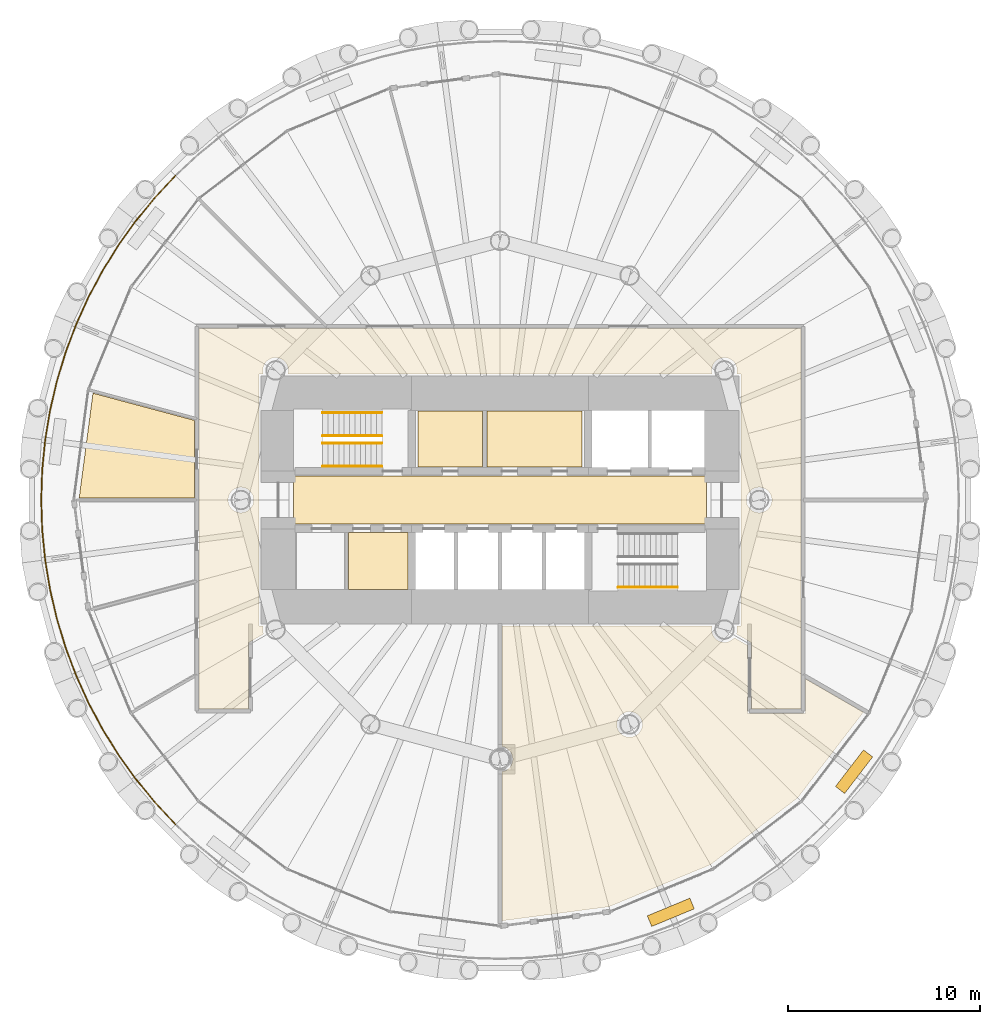
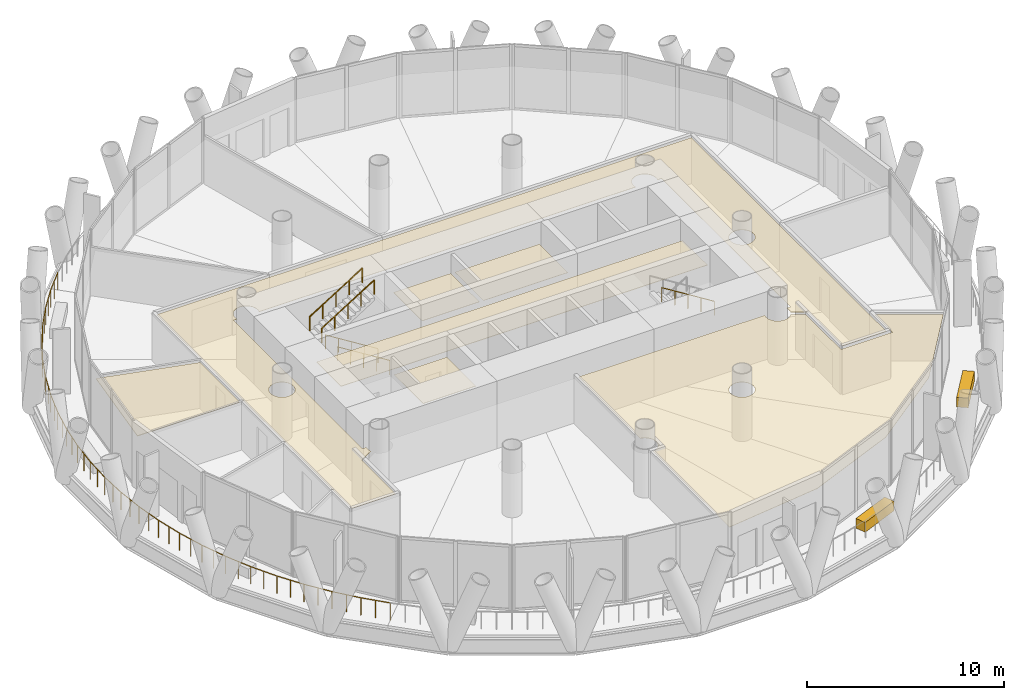
# One storey, part 12 of 14: 9 coverings, 6 railings.
"""IFC4 building model written with IfcOpenShell, lengths in metres."""

from ifc_helpers import new_model, si_unit, direction, frame, origin, origin_2d, place, context, subcontext, project, spatial, polyline, rectangle, circle, outline, extrude, material, layer, layer_set, type_object, element, save


model = new_model("IFC4")

# Units and contexts
model_context = context("Model", 3, precision=1e-05, world=origin(), true_north=direction((0.0, 1.0)))
body_context = subcontext(model_context, "Body", "Model", "MODEL_VIEW")
ifc_project = project(units=[si_unit("LENGTHUNIT", "METRE"), si_unit("AREAUNIT", "SQUARE_METRE"), si_unit("VOLUMEUNIT", "CUBIC_METRE"), si_unit("PLANEANGLEUNIT", "RADIAN"), si_unit("MASSUNIT", "GRAM", prefix="KILO")], contexts=[model_context])

# Site, building, storey
site_placement = place(None, origin())
site = spatial("IfcSite", under=ifc_project, at=site_placement, CompositionType="ELEMENT")
building_placement = place(site_placement, origin())
building = spatial("IfcBuilding", under=site, at=building_placement, Name="Qaws Media Tower", CompositionType="ELEMENT")
storey_placement = place(building_placement, frame((0.0, 0.0, 168.800048828125)))
storey = spatial("IfcBuildingStorey", under=building, at=storey_placement, Name="L38", CompositionType="ELEMENT", Elevation=168.800048828125)

# Covering
ifc_material_1 = material(Name="40 perforated acoustic panels with mineral wool backing, suspended", Category="mineral fibre")
ifc_layer_1 = layer(ifc_material_1, 0.0400390625)
ifc_layer_set_1 = layer_set([ifc_layer_1], Name="Acoustic panel ceiling 40")
covering_type_1 = type_object("IfcCoveringType", Name="Acoustic panel ceiling 40", PredefinedType="CEILING", material=ifc_layer_set_1)
covering_1_placement = place(storey_placement, frame((0.0, 0.0, 2.849853515625)))
element("IfcCovering", 1, at=covering_1_placement, inside=storey, type_object=covering_type_1, Name="CL3 ceiling L38-05 Interview room", PredefinedType="CEILING", context=body_context, shape_type="SweptSolid", body=[
    extrude(outline(polyline([(38.79736328125, 55.564697265625), (44.08740234375, 54.147216796875), (44.08740234375, 50.112548828125), (38.07958984375, 50.112548828125), (38.79736328125, 55.564697265625)])), origin(), (0.0, 0.0, 1.0), 0.0400390625),
])

# Railing
ifc_material_2 = material(Name="Stainless steel and glass guard", Category="steel")
railing_type_1 = type_object("IfcRailingType", Name="Balcony guard 1100", PredefinedType="GUARDRAIL", material=ifc_material_2)
railing_1_placement = place(storey_placement, frame((43.10009765625, 66.89990234375, 0.0)))
element("IfcRailing", 2, at=railing_1_placement, inside=storey, type_object=railing_type_1, Name="GR1 balcony guard L38-2", PredefinedType="GUARDRAIL", context=body_context, shape_type="SweptSolid", body=[
    extrude(circle(Radius=0.02392578125, at=origin_2d()), frame((0.0, 0.0, 1.076171875), z_axis=(-0.683546406582, -0.729907055761, 0.0), x_axis=(0.729907055761, -0.683546406582, 0.0)), (0.0, 0.0, 1.0), 1.56396484375),
    extrude(circle(Radius=0.02392578125, at=origin_2d()), frame((-1.069091796875, -1.1416015625, 1.076171875), z_axis=(-0.63439315617, -0.773010558404, 0.0), x_axis=(0.773010558404, -0.63439315617, 0.0)), (0.0, 0.0, 1.0), 1.56396484375),
    extrude(circle(Radius=0.02392578125, at=origin_2d()), frame((-2.061279296875, -2.3505859375, 1.076171875), z_axis=(-0.582448461728, -0.812867633401, 0.0), x_axis=(0.812867633401, -0.582448461728, 0.0)), (0.0, 0.0, 1.0), 1.56396484375),
    extrude(circle(Radius=0.02392578125, at=origin_2d()), frame((-2.97216796875, -3.621826171875, 1.076171875), z_axis=(-0.528089308506, -0.849188837799, 0.0), x_axis=(0.849188837799, -0.528089308506, 0.0)), (0.0, 0.0, 1.0), 1.56396484375),
    extrude(circle(Radius=0.02392578125, at=origin_2d()), frame((-3.798095703125, -4.949951171875, 1.076171875), z_axis=(-0.471463104369, -0.881885786947, 0.0), x_axis=(0.881885786947, -0.471463104369, 0.0)), (0.0, 0.0, 1.0), 1.56396484375),
    extrude(circle(Radius=0.02392578125, at=origin_2d()), frame((-4.535400390625, -6.3291015625, 1.076171875), z_axis=(-0.412732400705, -0.91085232909, 0.0), x_axis=(0.91085232909, -0.412732400705, 0.0)), (0.0, 0.0, 1.0), 1.56396484375),
    extrude(circle(Radius=0.02392578125, at=origin_2d()), frame((-5.180908203125, -7.753662109375, 1.076171875), z_axis=(-0.352149606638, -0.935943724026, 0.0), x_axis=(0.935943724026, -0.352149606638, 0.0)), (0.0, 0.0, 1.0), 1.56396484375),
    extrude(circle(Radius=0.02392578125, at=origin_2d()), frame((-5.731689453125, -9.217529296875, 1.076171875), z_axis=(-0.290353982933, -0.956919309344, 0.0), x_axis=(0.956919309344, -0.290353982933, 0.0)), (0.0, 0.0, 1.0), 1.56396484375),
    extrude(circle(Radius=0.02392578125, at=origin_2d()), frame((-6.185791015625, -10.714111328125, 1.076171875), z_axis=(-0.226968071535, -0.973902199661, 0.0), x_axis=(0.973902199661, -0.226968071535, 0.0)), (0.0, 0.0, 1.0), 1.56396484375),
    extrude(circle(Radius=0.02392578125, at=origin_2d()), frame((-6.540771484375, -12.2373046875, 1.076171875), z_axis=(-0.162981149854, -0.986629183023, 0.0), x_axis=(0.986629183023, -0.162981149854, 0.0)), (0.0, 0.0, 1.0), 1.56396484375),
    extrude(circle(Radius=0.02392578125, at=origin_2d()), frame((-6.795654296875, -13.7802734375, 1.076171875), z_axis=(-0.098035276312, -0.995182940267, 0.0), x_axis=(0.995182940267, -0.098035276312, 0.0)), (0.0, 0.0, 1.0), 1.56396484375),
    extrude(circle(Radius=0.02392578125, at=origin_2d()), frame((-6.948974609375, -15.336669921875, 1.076171875), z_axis=(-0.032623575088, -0.999467709508, 0.0), x_axis=(0.999467709508, -0.032623575088, 0.0)), (0.0, 0.0, 1.0), 1.56396484375),
    extrude(circle(Radius=0.02392578125, at=origin_2d()), frame((-7.0, -16.89990234375, 1.076171875), z_axis=(0.032623575088, -0.999467709508, 0.0), x_axis=(0.999467709508, 0.032623575088, 0.0)), (0.0, 0.0, 1.0), 1.56396484375),
    extrude(circle(Radius=0.02392578125, at=origin_2d()), frame((-6.948974609375, -18.463134765625, 1.076171875), z_axis=(0.098035276312, -0.995182940267, 0.0), x_axis=(0.995182940267, 0.098035276312, 0.0)), (0.0, 0.0, 1.0), 1.56396484375),
    extrude(circle(Radius=0.02392578125, at=origin_2d()), frame((-6.795654296875, -20.01953125, 1.076171875), z_axis=(0.162981149854, -0.986629183023, 0.0), x_axis=(0.986629183023, 0.162981149854, 0.0)), (0.0, 0.0, 1.0), 1.56396484375),
    extrude(circle(Radius=0.02392578125, at=origin_2d()), frame((-6.540771484375, -21.5625, 1.076171875), z_axis=(0.226968071535, -0.973902199661, 0.0), x_axis=(0.973902199661, 0.226968071535, 0.0)), (0.0, 0.0, 1.0), 1.56396484375),
    extrude(circle(Radius=0.02392578125, at=origin_2d()), frame((-6.185791015625, -23.085693359375, 1.076171875), z_axis=(0.290353982933, -0.956919309344, 0.0), x_axis=(0.956919309344, 0.290353982933, 0.0)), (0.0, 0.0, 1.0), 1.56396484375),
    extrude(circle(Radius=0.02392578125, at=origin_2d()), frame((-5.731689453125, -24.582275390625, 1.076171875), z_axis=(0.352149606638, -0.935943724026, 0.0), x_axis=(0.935943724026, 0.352149606638, 0.0)), (0.0, 0.0, 1.0), 1.56396484375),
    extrude(circle(Radius=0.02392578125, at=origin_2d()), frame((-5.180908203125, -26.046142578125, 1.076171875), z_axis=(0.412732400705, -0.91085232909, 0.0), x_axis=(0.91085232909, 0.412732400705, 0.0)), (0.0, 0.0, 1.0), 1.56396484375),
    extrude(circle(Radius=0.02392578125, at=origin_2d()), frame((-4.535400390625, -27.470703125, 1.076171875), z_axis=(0.471463104369, -0.881885786947, 0.0), x_axis=(0.881885786947, 0.471463104369, 0.0)), (0.0, 0.0, 1.0), 1.56396484375),
    extrude(circle(Radius=0.02392578125, at=origin_2d()), frame((-3.798095703125, -28.849853515625, 1.076171875), z_axis=(0.528089308506, -0.849188837799, 0.0), x_axis=(0.849188837799, 0.528089308506, 0.0)), (0.0, 0.0, 1.0), 1.56396484375),
    extrude(circle(Radius=0.02392578125, at=origin_2d()), frame((-2.97216796875, -30.177978515625, 1.076171875), z_axis=(0.582448461728, -0.812867633401, 0.0), x_axis=(0.812867633401, 0.582448461728, 0.0)), (0.0, 0.0, 1.0), 1.56396484375),
    extrude(circle(Radius=0.02392578125, at=origin_2d()), frame((-2.061279296875, -31.44921875, 1.076171875), z_axis=(0.63439315617, -0.773010558404, 0.0), x_axis=(0.773010558404, 0.63439315617, 0.0)), (0.0, 0.0, 1.0), 1.56396484375),
    extrude(circle(Radius=0.02392578125, at=origin_2d()), frame((-1.069091796875, -32.658203125, 1.076171875), z_axis=(0.683546406582, -0.729907055761, 0.0), x_axis=(0.729907055761, 0.683546406582, 0.0)), (0.0, 0.0, 1.0), 1.56396484375),
    extrude(circle(Radius=0.02099609375, at=origin_2d()), origin(), (0.0, 0.0, 1.0), 1.052001953125),
    extrude(circle(Radius=0.02099609375, at=origin_2d()), frame((-0.53466796875, -0.57080078125, 0.0)), (0.0, 0.0, 1.0), 1.052001953125),
    extrude(circle(Radius=0.02099609375, at=origin_2d()), frame((-1.069091796875, -1.1416015625, 0.0)), (0.0, 0.0, 1.0), 1.052001953125),
    extrude(circle(Radius=0.02099609375, at=origin_2d()), frame((-1.565185546875, -1.74609375, 0.0)), (0.0, 0.0, 1.0), 1.052001953125),
    extrude(circle(Radius=0.02099609375, at=origin_2d()), frame((-2.061279296875, -2.3505859375, 0.0)), (0.0, 0.0, 1.0), 1.052001953125),
    extrude(circle(Radius=0.02099609375, at=origin_2d()), frame((-2.5166015625, -2.986328125, 0.0)), (0.0, 0.0, 1.0), 1.052001953125),
    extrude(circle(Radius=0.02099609375, at=origin_2d()), frame((-2.97216796875, -3.621826171875, 0.0)), (0.0, 0.0, 1.0), 1.052001953125),
    extrude(circle(Radius=0.02099609375, at=origin_2d()), frame((-3.38525390625, -4.285888671875, 0.0)), (0.0, 0.0, 1.0), 1.052001953125),
    extrude(circle(Radius=0.02099609375, at=origin_2d()), frame((-3.798095703125, -4.949951171875, 0.0)), (0.0, 0.0, 1.0), 1.052001953125),
    extrude(circle(Radius=0.02099609375, at=origin_2d()), frame((-4.166748046875, -5.6396484375, 0.0)), (0.0, 0.0, 1.0), 1.052001953125),
    extrude(circle(Radius=0.02099609375, at=origin_2d()), frame((-4.535400390625, -6.3291015625, 0.0)), (0.0, 0.0, 1.0), 1.052001953125),
    extrude(circle(Radius=0.02099609375, at=origin_2d()), frame((-4.858154296875, -7.04150390625, 0.0)), (0.0, 0.0, 1.0), 1.052001953125),
    extrude(circle(Radius=0.02099609375, at=origin_2d()), frame((-5.180908203125, -7.753662109375, 0.0)), (0.0, 0.0, 1.0), 1.052001953125),
    extrude(circle(Radius=0.02099609375, at=origin_2d()), frame((-5.456298828125, -8.485595703125, 0.0)), (0.0, 0.0, 1.0), 1.052001953125),
    extrude(circle(Radius=0.02099609375, at=origin_2d()), frame((-5.731689453125, -9.217529296875, 0.0)), (0.0, 0.0, 1.0), 1.052001953125),
    extrude(circle(Radius=0.02099609375, at=origin_2d()), frame((-5.958740234375, -9.9658203125, 0.0)), (0.0, 0.0, 1.0), 1.052001953125),
    extrude(circle(Radius=0.02099609375, at=origin_2d()), frame((-6.185791015625, -10.714111328125, 0.0)), (0.0, 0.0, 1.0), 1.052001953125),
    extrude(circle(Radius=0.02099609375, at=origin_2d()), frame((-6.36328125, -11.4755859375, 0.0)), (0.0, 0.0, 1.0), 1.052001953125),
    extrude(circle(Radius=0.02099609375, at=origin_2d()), frame((-6.540771484375, -12.2373046875, 0.0)), (0.0, 0.0, 1.0), 1.052001953125),
    extrude(circle(Radius=0.02099609375, at=origin_2d()), frame((-6.668212890625, -13.0087890625, 0.0)), (0.0, 0.0, 1.0), 1.052001953125),
    extrude(circle(Radius=0.02099609375, at=origin_2d()), frame((-6.795654296875, -13.7802734375, 0.0)), (0.0, 0.0, 1.0), 1.052001953125),
    extrude(circle(Radius=0.02099609375, at=origin_2d()), frame((-6.872314453125, -14.55859375, 0.0)), (0.0, 0.0, 1.0), 1.052001953125),
    extrude(circle(Radius=0.02099609375, at=origin_2d()), frame((-6.948974609375, -15.336669921875, 0.0)), (0.0, 0.0, 1.0), 1.052001953125),
    extrude(circle(Radius=0.02099609375, at=origin_2d()), frame((-6.974609375, -16.1181640625, 0.0)), (0.0, 0.0, 1.0), 1.052001953125),
    extrude(circle(Radius=0.02099609375, at=origin_2d()), frame((-7.0, -16.89990234375, 0.0)), (0.0, 0.0, 1.0), 1.052001953125),
    extrude(circle(Radius=0.02099609375, at=origin_2d()), frame((-6.974609375, -17.681640625, 0.0)), (0.0, 0.0, 1.0), 1.052001953125),
    extrude(circle(Radius=0.02099609375, at=origin_2d()), frame((-6.948974609375, -18.463134765625, 0.0)), (0.0, 0.0, 1.0), 1.052001953125),
    extrude(circle(Radius=0.02099609375, at=origin_2d()), frame((-6.872314453125, -19.2412109375, 0.0)), (0.0, 0.0, 1.0), 1.052001953125),
    extrude(circle(Radius=0.02099609375, at=origin_2d()), frame((-6.795654296875, -20.01953125, 0.0)), (0.0, 0.0, 1.0), 1.052001953125),
    extrude(circle(Radius=0.02099609375, at=origin_2d()), frame((-6.668212890625, -20.791015625, 0.0)), (0.0, 0.0, 1.0), 1.052001953125),
    extrude(circle(Radius=0.02099609375, at=origin_2d()), frame((-6.540771484375, -21.5625, 0.0)), (0.0, 0.0, 1.0), 1.052001953125),
    extrude(circle(Radius=0.02099609375, at=origin_2d()), frame((-6.36328125, -22.32421875, 0.0)), (0.0, 0.0, 1.0), 1.052001953125),
    extrude(circle(Radius=0.02099609375, at=origin_2d()), frame((-6.185791015625, -23.085693359375, 0.0)), (0.0, 0.0, 1.0), 1.052001953125),
    extrude(circle(Radius=0.02099609375, at=origin_2d()), frame((-5.958740234375, -23.833984375, 0.0)), (0.0, 0.0, 1.0), 1.052001953125),
    extrude(circle(Radius=0.02099609375, at=origin_2d()), frame((-5.731689453125, -24.582275390625, 0.0)), (0.0, 0.0, 1.0), 1.052001953125),
    extrude(circle(Radius=0.02099609375, at=origin_2d()), frame((-5.456298828125, -25.314208984375, 0.0)), (0.0, 0.0, 1.0), 1.052001953125),
    extrude(circle(Radius=0.02099609375, at=origin_2d()), frame((-5.180908203125, -26.046142578125, 0.0)), (0.0, 0.0, 1.0), 1.052001953125),
    extrude(circle(Radius=0.02099609375, at=origin_2d()), frame((-4.858154296875, -26.75830078125, 0.0)), (0.0, 0.0, 1.0), 1.052001953125),
    extrude(circle(Radius=0.02099609375, at=origin_2d()), frame((-4.535400390625, -27.470703125, 0.0)), (0.0, 0.0, 1.0), 1.052001953125),
    extrude(circle(Radius=0.02099609375, at=origin_2d()), frame((-4.166748046875, -28.16015625, 0.0)), (0.0, 0.0, 1.0), 1.052001953125),
    extrude(circle(Radius=0.02099609375, at=origin_2d()), frame((-3.798095703125, -28.849853515625, 0.0)), (0.0, 0.0, 1.0), 1.052001953125),
    extrude(circle(Radius=0.02099609375, at=origin_2d()), frame((-3.38525390625, -29.513916015625, 0.0)), (0.0, 0.0, 1.0), 1.052001953125),
    extrude(circle(Radius=0.02099609375, at=origin_2d()), frame((-2.97216796875, -30.177978515625, 0.0)), (0.0, 0.0, 1.0), 1.052001953125),
    extrude(circle(Radius=0.02099609375, at=origin_2d()), frame((-2.5166015625, -30.8134765625, 0.0)), (0.0, 0.0, 1.0), 1.052001953125),
    extrude(circle(Radius=0.02099609375, at=origin_2d()), frame((-2.061279296875, -31.44921875, 0.0)), (0.0, 0.0, 1.0), 1.052001953125),
    extrude(circle(Radius=0.02099609375, at=origin_2d()), frame((-1.565185546875, -32.0537109375, 0.0)), (0.0, 0.0, 1.0), 1.052001953125),
    extrude(circle(Radius=0.02099609375, at=origin_2d()), frame((-1.069091796875, -32.658203125, 0.0)), (0.0, 0.0, 1.0), 1.052001953125),
    extrude(circle(Radius=0.02099609375, at=origin_2d()), frame((-0.53466796875, -33.22900390625, 0.0)), (0.0, 0.0, 1.0), 1.052001953125),
    extrude(circle(Radius=0.02099609375, at=origin_2d()), frame((0.0, -33.7998046875, 0.0)), (0.0, 0.0, 1.0), 1.052001953125),
])

# Coverings
ifc_material_3 = material(Name="600 x 600 mineral fibre tiles in exposed grid, suspended", Category="mineral fibre")
ifc_layer_2 = layer(ifc_material_3, 0.02001953125)
ifc_layer_set_2 = layer_set([ifc_layer_2], Name="Mineral fibre tile ceiling 20")
covering_type_2 = type_object("IfcCoveringType", Name="Mineral fibre tile ceiling 20", PredefinedType="CEILING", material=ifc_layer_set_2)
covering_2_placement = place(storey_placement, frame((0.0, 0.0, 2.849853515625)))
element("IfcCovering", 3, at=covering_2_placement, inside=storey, type_object=covering_type_2, Name="CL1 ceiling L38-C07 Ladies toilets", PredefinedType="CEILING", context=body_context, shape_type="SweptSolid", body=[
    extrude(outline(polyline([(55.719970703125, 51.719970703125), (55.719970703125, 54.6298828125), (59.080078125, 54.6298828125), (59.080078125, 51.719970703125), (55.719970703125, 51.719970703125)])), origin(), (0.0, 0.0, 1.0), 0.02001953125),
])
covering_3_placement = place(storey_placement, frame((0.0, 0.0, 2.849853515625)))
element("IfcCovering", 4, at=covering_3_placement, inside=storey, type_object=covering_type_2, Name="CL1 ceiling L38-C08 Gents toilets", PredefinedType="CEILING", context=body_context, shape_type="SweptSolid", body=[
    extrude(outline(polyline([(59.320068359375, 51.719970703125), (59.320068359375, 54.6298828125), (64.280029296875, 54.6298828125), (64.280029296875, 51.719970703125), (59.320068359375, 51.719970703125)])), origin(), (0.0, 0.0, 1.0), 0.02001953125),
])
covering_4_placement = place(storey_placement, frame((0.0, 0.0, 2.849853515625)))
element("IfcCovering", 5, at=covering_4_placement, inside=storey, type_object=covering_type_2, Name="CL1 ceiling L38-01 Corridor", PredefinedType="CEILING", context=body_context, shape_type="SweptSolid", body=[
    extrude(outline(polyline([(44.3125, 39.112548828125), (44.3125, 58.9375), (75.6875, 58.9375), (75.6875, 39.112548828125), (73.112548828125, 39.112548828125), (73.112548828125, 42.559326171875), (72.31689453125, 43.018798828125), (72.336669921875, 43.0771484375), (72.353515625, 43.162841796875), (72.359375, 43.25), (72.353515625, 43.337158203125), (72.336669921875, 43.4228515625), (72.33154296875, 43.4375), (72.5625, 43.4375), (72.5625, 56.5625), (72.33154296875, 56.5625), (72.336669921875, 56.5771484375), (72.353515625, 56.662841796875), (72.359375, 56.75), (72.353515625, 56.837158203125), (72.336669921875, 56.9228515625), (72.30859375, 57.005615234375), (72.269775390625, 57.083984375), (72.22119140625, 57.15673828125), (72.163818359375, 57.222412109375), (72.097900390625, 57.280029296875), (72.025390625, 57.32861328125), (71.947021484375, 57.3671875), (71.8642578125, 57.395263671875), (71.778564453125, 57.412353515625), (71.69140625, 57.41796875), (71.604248046875, 57.412353515625), (71.5185546875, 57.395263671875), (71.435791015625, 57.3671875), (71.357421875, 57.32861328125), (71.28466796875, 57.280029296875), (71.218994140625, 57.222412109375), (71.161376953125, 57.15673828125), (71.11279296875, 57.083984375), (71.07421875, 57.005615234375), (71.046142578125, 56.9228515625), (71.029052734375, 56.837158203125), (71.023193359375, 56.75), (71.029052734375, 56.662841796875), (71.046142578125, 56.5771484375), (71.051025390625, 56.5625), (48.948974609375, 56.5625), (48.953857421875, 56.5771484375), (48.970947265625, 56.662841796875), (48.976806640625, 56.75), (48.970947265625, 56.837158203125), (48.953857421875, 56.9228515625), (48.92578125, 57.005615234375), (48.88720703125, 57.083984375), (48.838623046875, 57.15673828125), (48.781005859375, 57.222412109375), (48.71533203125, 57.280029296875), (48.642578125, 57.32861328125), (48.564208984375, 57.3671875), (48.4814453125, 57.395263671875), (48.395751953125, 57.412353515625), (48.30859375, 57.41796875), (48.221435546875, 57.412353515625), (48.1357421875, 57.395263671875), (48.052978515625, 57.3671875), (47.974609375, 57.32861328125), (47.902099609375, 57.280029296875), (47.836181640625, 57.222412109375), (47.77880859375, 57.15673828125), (47.730224609375, 57.083984375), (47.69140625, 57.005615234375), (47.663330078125, 56.9228515625), (47.646484375, 56.837158203125), (47.640625, 56.75), (47.646484375, 56.662841796875), (47.663330078125, 56.5771484375), (47.66845703125, 56.5625), (47.4375, 56.5625), (47.4375, 43.4375), (47.66845703125, 43.4375), (47.663330078125, 43.4228515625), (47.646484375, 43.337158203125), (47.640625, 43.25), (47.646484375, 43.162841796875), (47.663330078125, 43.0771484375), (47.68310546875, 43.018798828125), (46.887451171875, 42.559326171875), (46.887451171875, 39.112548828125), (44.3125, 39.112548828125)]), holes=[polyline([(47.1171875, 49.744384765625), (47.145263671875, 49.8271484375), (47.162353515625, 49.912841796875), (47.16796875, 50.0), (47.162353515625, 50.087158203125), (47.145263671875, 50.1728515625), (47.1171875, 50.255615234375), (47.07861328125, 50.333984375), (47.030029296875, 50.40673828125), (46.972412109375, 50.472412109375), (46.90673828125, 50.530029296875), (46.833984375, 50.57861328125), (46.755615234375, 50.6171875), (46.6728515625, 50.645263671875), (46.587158203125, 50.662353515625), (46.5, 50.66796875), (46.412841796875, 50.662353515625), (46.3271484375, 50.645263671875), (46.244384765625, 50.6171875), (46.166015625, 50.57861328125), (46.09326171875, 50.530029296875), (46.027587890625, 50.472412109375), (45.969970703125, 50.40673828125), (45.92138671875, 50.333984375), (45.8828125, 50.255615234375), (45.854736328125, 50.1728515625), (45.837646484375, 50.087158203125), (45.83203125, 50.0), (45.837646484375, 49.912841796875), (45.854736328125, 49.8271484375), (45.8828125, 49.744384765625), (45.92138671875, 49.666015625), (45.969970703125, 49.59326171875), (46.027587890625, 49.527587890625), (46.09326171875, 49.469970703125), (46.166015625, 49.42138671875), (46.244384765625, 49.3828125), (46.3271484375, 49.354736328125), (46.412841796875, 49.337646484375), (46.5, 49.33203125), (46.587158203125, 49.337646484375), (46.6728515625, 49.354736328125), (46.755615234375, 49.3828125), (46.833984375, 49.42138671875), (46.90673828125, 49.469970703125), (46.972412109375, 49.527587890625), (47.030029296875, 49.59326171875), (47.07861328125, 49.666015625), (47.1171875, 49.744384765625)]), polyline([(74.145263671875, 49.8271484375), (74.162353515625, 49.912841796875), (74.16796875, 50.0), (74.162353515625, 50.087158203125), (74.145263671875, 50.1728515625), (74.1171875, 50.255615234375), (74.07861328125, 50.333984375), (74.030029296875, 50.40673828125), (73.972412109375, 50.472412109375), (73.90673828125, 50.530029296875), (73.833984375, 50.57861328125), (73.755615234375, 50.6171875), (73.6728515625, 50.645263671875), (73.587158203125, 50.662353515625), (73.5, 50.66796875), (73.412841796875, 50.662353515625), (73.3271484375, 50.645263671875), (73.244384765625, 50.6171875), (73.166015625, 50.57861328125), (73.09326171875, 50.530029296875), (73.027587890625, 50.472412109375), (72.969970703125, 50.40673828125), (72.92138671875, 50.333984375), (72.8828125, 50.255615234375), (72.854736328125, 50.1728515625), (72.837646484375, 50.087158203125), (72.83203125, 50.0), (72.837646484375, 49.912841796875), (72.854736328125, 49.8271484375), (72.8828125, 49.744384765625), (72.92138671875, 49.666015625), (72.969970703125, 49.59326171875), (73.027587890625, 49.527587890625), (73.09326171875, 49.469970703125), (73.166015625, 49.42138671875), (73.244384765625, 49.3828125), (73.3271484375, 49.354736328125), (73.412841796875, 49.337646484375), (73.5, 49.33203125), (73.587158203125, 49.337646484375), (73.6728515625, 49.354736328125), (73.755615234375, 49.3828125), (73.833984375, 49.42138671875), (73.90673828125, 49.469970703125), (73.972412109375, 49.527587890625), (74.030029296875, 49.59326171875), (74.07861328125, 49.666015625), (74.1171875, 49.744384765625), (74.145263671875, 49.8271484375)])]), origin(), (0.0, 0.0, 1.0), 0.02001953125),
])
covering_5_placement = place(storey_placement, frame((0.0, 0.0, 2.849853515625)))
element("IfcCovering", 6, at=covering_5_placement, inside=storey, type_object=covering_type_2, Name="CL1 ceiling L38-09 HR office", PredefinedType="CEILING", context=body_context, shape_type="SweptSolid", body=[
    extrude(outline(polyline([(72.887451171875, 38.887451171875), (75.91259765625, 38.887451171875), (75.91259765625, 40.68310546875), (78.927490234375, 38.9423828125), (75.510498046875, 34.489501953125), (70.967529296875, 31.00341796875), (65.67724609375, 28.812255859375), (60.112548828125, 28.07958984375), (60.112548828125, 35.8427734375), (60.1728515625, 35.854736328125), (60.255615234375, 35.8828125), (60.333984375, 35.92138671875), (60.40673828125, 35.969970703125), (60.472412109375, 36.027587890625), (60.530029296875, 36.09326171875), (60.57861328125, 36.166015625), (60.6171875, 36.244384765625), (60.645263671875, 36.3271484375), (60.662353515625, 36.412841796875), (60.66796875, 36.5), (60.662353515625, 36.587158203125), (60.645263671875, 36.6728515625), (60.6171875, 36.755615234375), (60.57861328125, 36.833984375), (60.530029296875, 36.90673828125), (60.472412109375, 36.972412109375), (60.40673828125, 37.030029296875), (60.333984375, 37.07861328125), (60.255615234375, 37.1171875), (60.1728515625, 37.145263671875), (60.112548828125, 37.1572265625), (60.112548828125, 43.4375), (71.051025390625, 43.4375), (71.046142578125, 43.4228515625), (71.029052734375, 43.337158203125), (71.023193359375, 43.25), (71.029052734375, 43.162841796875), (71.046142578125, 43.0771484375), (71.07421875, 42.994384765625), (71.11279296875, 42.916015625), (71.161376953125, 42.84326171875), (71.218994140625, 42.777587890625), (71.28466796875, 42.719970703125), (71.357421875, 42.67138671875), (71.435791015625, 42.6328125), (71.5185546875, 42.604736328125), (71.604248046875, 42.587646484375), (71.69140625, 42.58203125), (71.778564453125, 42.587646484375), (71.8642578125, 42.604736328125), (71.947021484375, 42.6328125), (72.025390625, 42.67138671875), (72.097900390625, 42.719970703125), (72.163818359375, 42.777587890625), (72.204345703125, 42.823974609375), (72.887451171875, 42.429443359375), (72.887451171875, 38.887451171875)]), holes=[polyline([(67.3671875, 38.052978515625), (67.395263671875, 38.1357421875), (67.412353515625, 38.221435546875), (67.41796875, 38.30859375), (67.412353515625, 38.395751953125), (67.395263671875, 38.4814453125), (67.3671875, 38.564208984375), (67.32861328125, 38.642578125), (67.280029296875, 38.71533203125), (67.222412109375, 38.781005859375), (67.15673828125, 38.838623046875), (67.083984375, 38.88720703125), (67.005615234375, 38.92578125), (66.9228515625, 38.953857421875), (66.837158203125, 38.970947265625), (66.75, 38.976806640625), (66.662841796875, 38.970947265625), (66.5771484375, 38.953857421875), (66.494384765625, 38.92578125), (66.416015625, 38.88720703125), (66.34326171875, 38.838623046875), (66.277587890625, 38.781005859375), (66.219970703125, 38.71533203125), (66.17138671875, 38.642578125), (66.1328125, 38.564208984375), (66.104736328125, 38.4814453125), (66.087646484375, 38.395751953125), (66.08203125, 38.30859375), (66.087646484375, 38.221435546875), (66.104736328125, 38.1357421875), (66.1328125, 38.052978515625), (66.17138671875, 37.974609375), (66.219970703125, 37.902099609375), (66.277587890625, 37.836181640625), (66.34326171875, 37.77880859375), (66.416015625, 37.730224609375), (66.494384765625, 37.69140625), (66.5771484375, 37.663330078125), (66.662841796875, 37.646484375), (66.75, 37.640625), (66.837158203125, 37.646484375), (66.9228515625, 37.663330078125), (67.005615234375, 37.69140625), (67.083984375, 37.730224609375), (67.15673828125, 37.77880859375), (67.222412109375, 37.836181640625), (67.280029296875, 37.902099609375), (67.32861328125, 37.974609375), (67.3671875, 38.052978515625)])]), origin(), (0.0, 0.0, 1.0), 0.02001953125),
])
covering_6_placement = place(storey_placement, frame((0.0, 0.0, 2.849853515625)))
element("IfcCovering", 7, at=covering_6_placement, inside=storey, type_object=covering_type_2, Name="CL1 ceiling L38-C05 Shower room", PredefinedType="CEILING", context=body_context, shape_type="SweptSolid", body=[
    extrude(outline(polyline([(52.10009765625, 45.35009765625), (52.10009765625, 48.300048828125), (55.199951171875, 48.300048828125), (55.199951171875, 45.35009765625), (52.10009765625, 45.35009765625)])), origin(), (0.0, 0.0, 1.0), 0.02001953125),
])
ifc_material_4 = material(Name="Precast concrete planter with trailing planting", Category="concrete")
ifc_layer_3 = layer(ifc_material_4, 0.60009765625)
ifc_layer_set_3 = layer_set([ifc_layer_3], Name="Planter 2400x600")
covering_type_3 = type_object("IfcCoveringType", Name="Planter 2400x600", PredefinedType="USERDEFINED", material=ifc_layer_set_3)
for number, where, z_axis, x_axis, name in (
    (8, (68.8974609375, 28.519775390625, 0.0), (0.0, 0.0, 1.0), (0.923879532511, 0.382683432365, 0.0), "PL1 balcony planter L38-10"),
    (9, (78.445556640625, 35.84619140625, 0.0), (0.0, 0.0, 1.0), (0.608761429009, 0.793353340291, 0.0), "PL1 balcony planter L38-11"),
):
    element("IfcCovering", number, at=place(storey_placement, frame(where, z_axis=z_axis, x_axis=x_axis)), inside=storey, type_object=covering_type_3, Name=name, ObjectType="PLANTER", PredefinedType="USERDEFINED", context=body_context, shape_type="SweptSolid", body=[
        extrude(rectangle(XDim=2.39990234375, YDim=0.60009765625, at=origin_2d()), origin(), (0.0, 0.0, 1.0), 0.60009765625),
    ])
ifc_material_5 = material(Name="Two layers 12.5 moisture-resistant plasterboard on suspended metal furring", Category="gypsum")
ifc_layer_4 = layer(ifc_material_5, 0.02490234375)
ifc_layer_set_4 = layer_set([ifc_layer_4], Name="Plasterboard ceiling 25")
covering_type_4 = type_object("IfcCoveringType", Name="Plasterboard ceiling 25", PredefinedType="CEILING", material=ifc_layer_set_4)
covering_7_placement = place(storey_placement, frame((0.0, 0.0, 2.849853515625)))
element("IfcCovering", 10, at=covering_7_placement, inside=storey, type_object=covering_type_4, Name="CL2 ceiling L38-C01 Lift lobby", PredefinedType="CEILING", context=body_context, shape_type="SweptSolid", body=[
    extrude(outline(polyline([(49.25, 48.75), (49.25, 51.25), (70.75, 51.25), (70.75, 48.75), (49.25, 48.75)])), origin(), (0.0, 0.0, 1.0), 0.025146484375),
])

# Railings
ifc_material_6 = material(Name="Steel tube handrail", Category="steel")
railing_type_2 = type_object("IfcRailingType", Name="Stair handrail 900", PredefinedType="HANDRAIL", material=ifc_material_6)
for number, where, name in (
    (11, (53.840087890625, 51.75, 0.175048828125), "HR1 handrail S1 flight 1 L38"),
    (12, (53.840087890625, 52.9599609375, 0.175048828125), "HR1 handrail S1 flight 1 L38"),
):
    element("IfcRailing", number, at=place(storey_placement, frame(where)), inside=storey, type_object=railing_type_2, Name=name, PredefinedType="HANDRAIL", context=body_context, shape_type="SweptSolid", body=[
        extrude(circle(Radius=0.02392578125, at=origin_2d()), frame((0.0, 0.0, 0.8759765625), z_axis=(-0.848028513186, 0.0, 0.529950602248), x_axis=(0.0, -1.0, 0.0)), (0.0, 0.0, 1.0), 3.632080078125),
        extrude(circle(Radius=0.02099609375, at=origin_2d()), origin(), (0.0, 0.0, 1.0), 0.851806640625),
        extrude(circle(Radius=0.02099609375, at=origin_2d()), frame((-0.77001953125, 0.0, 0.481201171875)), (0.0, 0.0, 1.0), 0.851806640625),
        extrude(circle(Radius=0.02099609375, at=origin_2d()), frame((-1.5400390625, 0.0, 0.96240234375)), (0.0, 0.0, 1.0), 0.851806640625),
        extrude(circle(Radius=0.02099609375, at=origin_2d()), frame((-2.31005859375, 0.0, 1.443603515625)), (0.0, 0.0, 1.0), 0.851806640625),
        extrude(circle(Radius=0.02099609375, at=origin_2d()), frame((-3.080078125, 0.0, 1.9248046875)), (0.0, 0.0, 1.0), 0.851806640625),
    ])
for number, where, name in (
    (13, (50.760009765625, 54.550048828125, 2.27490234375), "HR1 handrail S1 flight 2 L38"),
    (14, (50.760009765625, 53.340087890625, 2.27490234375), "HR1 handrail S1 flight 2 L38"),
):
    element("IfcRailing", number, at=place(storey_placement, frame(where)), inside=storey, type_object=railing_type_2, Name=name, PredefinedType="HANDRAIL", context=body_context, shape_type="SweptSolid", body=[
        extrude(circle(Radius=0.02392578125, at=origin_2d()), frame((0.0, 0.0, 0.8759765625), z_axis=(0.847998304005, 0.0, 0.529998940003), x_axis=(0.0, 1.0, 0.0)), (0.0, 0.0, 1.0), 3.632080078125),
        extrude(circle(Radius=0.02099609375, at=origin_2d()), origin(), (0.0, 0.0, 1.0), 0.851806640625),
        extrude(circle(Radius=0.02099609375, at=origin_2d()), frame((0.77001953125, 0.0, 0.481201171875)), (0.0, 0.0, 1.0), 0.851806640625),
        extrude(circle(Radius=0.02099609375, at=origin_2d()), frame((1.5400390625, 0.0, 0.96240234375)), (0.0, 0.0, 1.0), 0.851806640625),
        extrude(circle(Radius=0.02099609375, at=origin_2d()), frame((2.31005859375, 0.0, 1.44384765625)), (0.0, 0.0, 1.0), 0.851806640625),
        extrude(circle(Radius=0.02099609375, at=origin_2d()), frame((3.080078125, 0.0, 1.925048828125)), (0.0, 0.0, 1.0), 0.851806640625),
    ])
railing_2_placement = place(storey_placement, frame((69.239990234375, 45.449951171875, 2.27490234375)))
element("IfcRailing", 15, at=railing_2_placement, inside=storey, type_object=railing_type_2, Name="HR1 handrail S2 flight 2 L38", PredefinedType="HANDRAIL", context=body_context, shape_type="SweptSolid", body=[
    extrude(circle(Radius=0.02392578125, at=origin_2d()), frame((0.0, 0.0, 0.8759765625), z_axis=(-0.847998304005, 0.0, 0.529998940003), x_axis=(0.0, -1.0, 0.0)), (0.0, 0.0, 1.0), 3.632080078125),
    extrude(circle(Radius=0.02099609375, at=origin_2d()), origin(), (0.0, 0.0, 1.0), 0.851806640625),
    extrude(circle(Radius=0.02099609375, at=origin_2d()), frame((-0.77001953125, 0.0, 0.481201171875)), (0.0, 0.0, 1.0), 0.851806640625),
    extrude(circle(Radius=0.02099609375, at=origin_2d()), frame((-1.5400390625, 0.0, 0.96240234375)), (0.0, 0.0, 1.0), 0.851806640625),
    extrude(circle(Radius=0.02099609375, at=origin_2d()), frame((-2.31005859375, 0.0, 1.44384765625)), (0.0, 0.0, 1.0), 0.851806640625),
    extrude(circle(Radius=0.02099609375, at=origin_2d()), frame((-3.080078125, 0.0, 1.925048828125)), (0.0, 0.0, 1.0), 0.851806640625),
])

save(model, "model.ifc")
